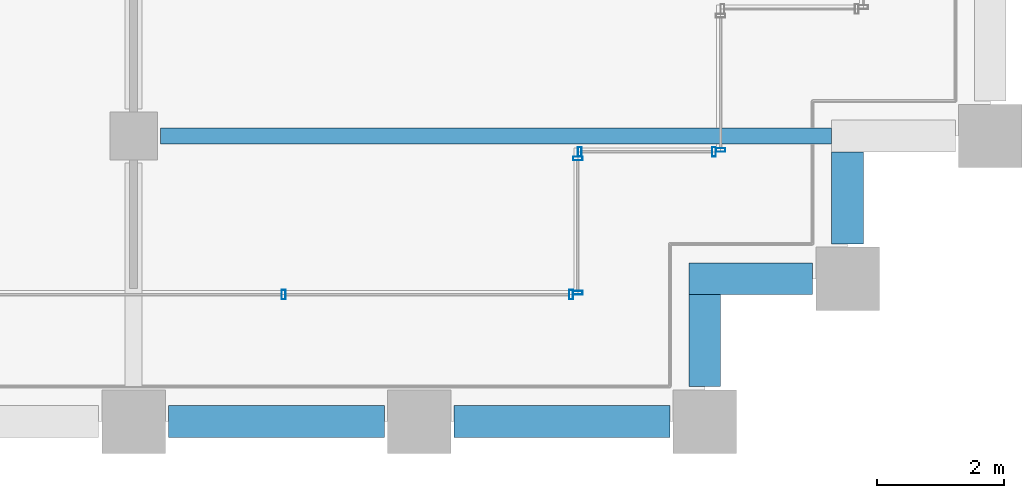
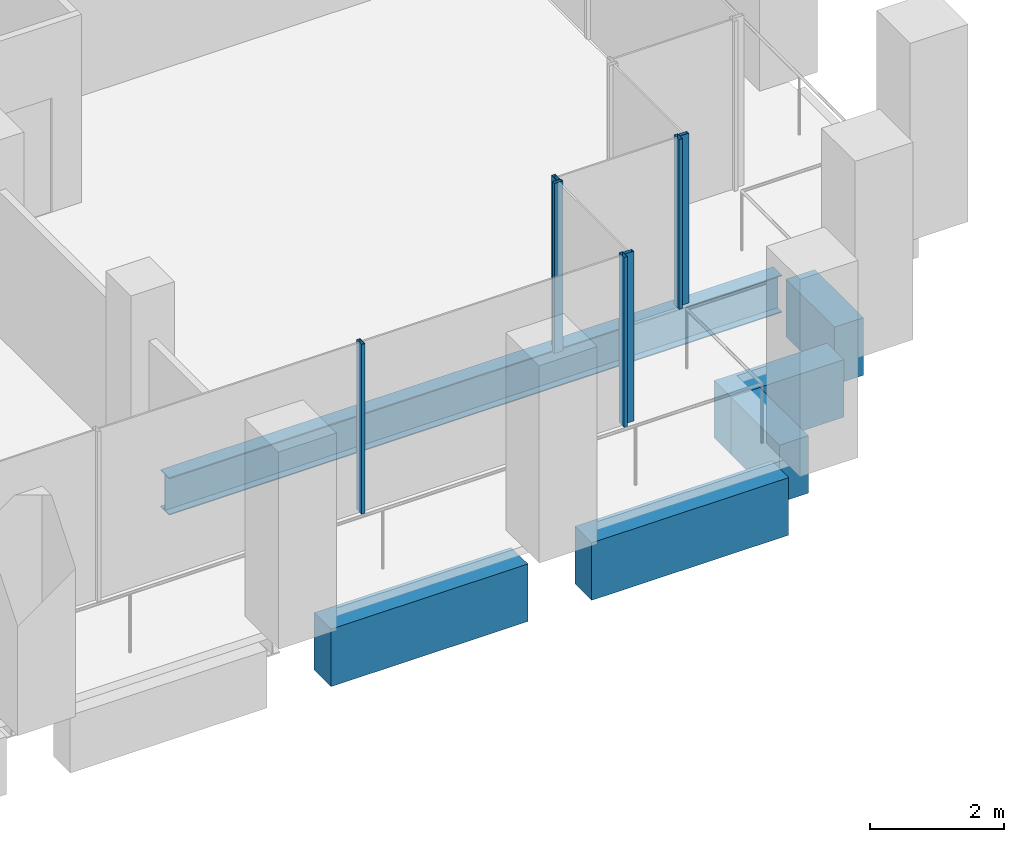
# One storey, part 12 of 52: 7 members, 6 beams, 4 elements without a shape of their own.
"""IFC4 building model written with IfcOpenShell, lengths in metres."""

from ifc_helpers import new_model, si_unit, direction, frame, origin, origin_2d, place, context, subcontext, project, spatial, rectangle, hollow_rectangle, i_section, extrude, material, material_profile, profile_set, type_object, element, aggregate, save


model = new_model("IFC4")

# Units and contexts
model_context = context("Model", 3, precision=1e-05, world=origin(), true_north=direction((0.0, 1.0)))
body_context = subcontext(model_context, "Body", "Model", "MODEL_VIEW")
ifc_project = project(units=[si_unit("LENGTHUNIT", "METRE"), si_unit("AREAUNIT", "SQUARE_METRE"), si_unit("VOLUMEUNIT", "CUBIC_METRE"), si_unit("PLANEANGLEUNIT", "RADIAN"), si_unit("MASSUNIT", "GRAM", prefix="KILO")], contexts=[model_context])

# Site, building, storey
site_placement = place(None, origin())
site = spatial("IfcSite", under=ifc_project, at=site_placement, CompositionType="ELEMENT")
building_placement = place(site_placement, origin())
building = spatial("IfcBuilding", under=site, at=building_placement, Name="Altepetl Exchange Towers", CompositionType="ELEMENT")
storey_placement = place(building_placement, frame((0.0, 0.0, 92.0)))
storey = spatial("IfcBuildingStorey", under=building, at=storey_placement, Name="L22", CompositionType="ELEMENT", Elevation=92.0)

# Beam
ifc_material_1 = material(Name="Steel S355", Category="steel")
ifc_material_profile_1 = material_profile(ifc_material_1, i_section(OverallWidth=0.25390625, OverallDepth=0.68408203125, WebThickness=0.012451171875, FlangeThickness=0.018798828125, at=origin_2d()), Name="W27X94")
ifc_profile_set_1 = profile_set([ifc_material_profile_1], Name="Steel S355")
beam_type_1 = type_object("IfcBeamType", Name="Floor beam W27X94", PredefinedType="BEAM", material=ifc_profile_set_1)
beam_1_placement = place(storey_placement, frame((58.925048828125, 31.5, -0.491943359375), z_axis=(1.0, 0.0, 0.0), x_axis=(0.0, 1.0, 0.0)))
element("IfcBeam", 1, at=beam_1_placement, inside=storey, type_object=beam_type_1, Name="bm:A:L22:006", PredefinedType="BEAM", context=body_context, shape_type="SweptSolid", body=[
    extrude(i_section(OverallWidth=0.25390625, OverallDepth=0.68408203125, WebThickness=0.012451171875, FlangeThickness=0.018798828125, at=origin_2d()), origin(), (0.0, 0.0, 1.0), 10.574951171875),
])

# Curtain wall, members
ifc_material_2 = material(Name="Aluminium 6063-T6 glazing", Category="aluminium")
curtain_wall_type = type_object("IfcCurtainWallType", Name="Loggia glazing system", PredefinedType="NOTDEFINED", material=ifc_material_2)
curtain_wall_1_placement = place(storey_placement, origin())
curtain_wall_1 = element("IfcCurtainWall", 2, at=curtain_wall_1_placement, inside=storey, type_object=curtain_wall_type, Name="CW1 run", PredefinedType="NOTDEFINED")
ifc_material_3 = material(Name="Aluminium 6063-T6", Category="aluminium")
ifc_material_profile_2 = material_profile(ifc_material_3, hollow_rectangle(XDim=0.06005859375, YDim=0.14990234375, WallThickness=0.0029296875, at=origin_2d()), Name="Mullion 60x150 aluminium")
ifc_profile_set_2 = profile_set([ifc_material_profile_2], Name="Aluminium 6063-T6")
member_type = type_object("IfcMemberType", Name="Mullion 60x150 aluminium", PredefinedType="MULLION", material=ifc_profile_set_2)
member_1_placement = place(storey_placement, frame((60.8642578125, 29.0, 0.0)))
member_1 = element("IfcMember", 3, at=member_1_placement, type_object=member_type, Name="MU1 mullion", PredefinedType="MULLION", context=body_context, shape_type="SweptSolid", body=[
    extrude(hollow_rectangle(XDim=0.06005859375, YDim=0.14990234375, WallThickness=0.0029296875, at=origin_2d()), origin(), (0.0, 0.0, 1.0), 3.10009765625),
])
member_2_placement = place(storey_placement, frame((65.39501953125, 29.0, 0.0)))
member_2 = element("IfcMember", 4, at=member_2_placement, type_object=member_type, Name="MU1 mullion", PredefinedType="MULLION", context=body_context, shape_type="SweptSolid", body=[
    extrude(hollow_rectangle(XDim=0.06005859375, YDim=0.14990234375, WallThickness=0.0029296875, at=origin_2d()), origin(), (0.0, 0.0, 1.0), 3.10009765625),
])
aggregate(curtain_wall_1, [member_1, member_2])

curtain_wall_2_placement = place(storey_placement, origin())
curtain_wall_2 = element("IfcCurtainWall", 5, at=curtain_wall_2_placement, inside=storey, type_object=curtain_wall_type, Name="CW1 run", PredefinedType="NOTDEFINED")
member_3_placement = place(storey_placement, frame((65.5, 29.030029296875, 0.0), z_axis=(0.0, 0.0, 1.0), x_axis=(0.0, 1.0, 0.0)))
member_3 = element("IfcMember", 6, at=member_3_placement, type_object=member_type, Name="MU1 mullion", PredefinedType="MULLION", context=body_context, shape_type="SweptSolid", body=[
    extrude(hollow_rectangle(XDim=0.06005859375, YDim=0.14990234375, WallThickness=0.0029296875, at=origin_2d()), origin(), (0.0, 0.0, 1.0), 3.10009765625),
])
member_4_placement = place(storey_placement, frame((65.5, 31.14501953125, 0.0), z_axis=(0.0, 0.0, 1.0), x_axis=(0.0, 1.0, 0.0)))
member_4 = element("IfcMember", 7, at=member_4_placement, type_object=member_type, Name="MU1 mullion", PredefinedType="MULLION", context=body_context, shape_type="SweptSolid", body=[
    extrude(hollow_rectangle(XDim=0.06005859375, YDim=0.14990234375, WallThickness=0.0029296875, at=origin_2d()), origin(), (0.0, 0.0, 1.0), 3.10009765625),
])
aggregate(curtain_wall_2, [member_3, member_4])

curtain_wall_3_placement = place(storey_placement, origin())
curtain_wall_3 = element("IfcCurtainWall", 8, at=curtain_wall_3_placement, inside=storey, type_object=curtain_wall_type, Name="CW1 run", PredefinedType="NOTDEFINED")
member_5_placement = place(storey_placement, frame((65.530029296875, 31.25, 0.0)))
member_5 = element("IfcMember", 9, at=member_5_placement, type_object=member_type, Name="MU1 mullion", PredefinedType="MULLION", context=body_context, shape_type="SweptSolid", body=[
    extrude(hollow_rectangle(XDim=0.06005859375, YDim=0.14990234375, WallThickness=0.0029296875, at=origin_2d()), origin(), (0.0, 0.0, 1.0), 3.10009765625),
])
member_6_placement = place(storey_placement, frame((67.64501953125, 31.25, 0.0)))
member_6 = element("IfcMember", 10, at=member_6_placement, type_object=member_type, Name="MU1 mullion", PredefinedType="MULLION", context=body_context, shape_type="SweptSolid", body=[
    extrude(hollow_rectangle(XDim=0.06005859375, YDim=0.14990234375, WallThickness=0.0029296875, at=origin_2d()), origin(), (0.0, 0.0, 1.0), 3.10009765625),
])
aggregate(curtain_wall_3, [member_5, member_6])

# Curtain wall, member
curtain_wall_4_placement = place(storey_placement, origin())
curtain_wall_4 = element("IfcCurtainWall", 11, at=curtain_wall_4_placement, inside=storey, type_object=curtain_wall_type, Name="CW1 run", PredefinedType="NOTDEFINED")
member_7_placement = place(storey_placement, frame((67.75, 31.280029296875, 0.0), z_axis=(0.0, 0.0, 1.0), x_axis=(0.0, 1.0, 0.0)))
member_7 = element("IfcMember", 12, at=member_7_placement, type_object=member_type, Name="MU1 mullion", PredefinedType="MULLION", context=body_context, shape_type="SweptSolid", body=[
    extrude(hollow_rectangle(XDim=0.06005859375, YDim=0.14990234375, WallThickness=0.0029296875, at=origin_2d()), origin(), (0.0, 0.0, 1.0), 3.10009765625),
])
aggregate(curtain_wall_4, [member_7])

# Beams
ifc_material_4 = material(Name="Concrete C50/60 precast with cantera amarilla facing", Category="concrete")
ifc_material_profile_3 = material_profile(ifc_material_4, rectangle(XDim=0.5, YDim=1.050048828125, at=origin_2d()), Name="500 x 1050")
ifc_profile_set_3 = profile_set([ifc_material_profile_3], Name="Concrete C50/60 precast with cantera amarilla facing")
beam_type_2 = type_object("IfcBeamType", Name="Spandrel beam 500x1050 cantera amarilla", PredefinedType="SPANDREL", material=ifc_profile_set_3)
for number, where, z_axis, x_axis, name in (
    (13, (59.050048828125, 27.0, -0.675048828125), (1.0, 0.0, 0.0), (0.0, 1.0, 0.0), "sp:A:L22:006"),
    (14, (63.550048828125, 27.0, -0.675048828125), (1.0, 0.0, 0.0), (0.0, 1.0, 0.0), "sp:A:L22:007"),
):
    element("IfcBeam", number, at=place(storey_placement, frame(where, z_axis=z_axis, x_axis=x_axis)), inside=storey, type_object=beam_type_2, Name=name, PredefinedType="SPANDREL", context=body_context, shape_type="SweptSolid", body=[
        extrude(rectangle(XDim=0.5, YDim=1.050048828125, at=origin_2d()), origin(), (0.0, 0.0, 1.0), 3.39990234375),
    ])
beam_2_placement = place(storey_placement, frame((67.5, 27.550048828125, -0.675048828125), z_axis=(0.0, 1.0, 0.0), x_axis=(-1.0, 0.0, 0.0)))
element("IfcBeam", 15, at=beam_2_placement, inside=storey, type_object=beam_type_2, Name="sp:A:L22:008", PredefinedType="SPANDREL", context=body_context, shape_type="SweptSolid", body=[
    extrude(rectangle(XDim=0.5, YDim=1.050048828125, at=origin_2d()), origin(), (0.0, 0.0, 1.0), 1.449951171875),
])
beam_3_placement = place(storey_placement, frame((67.25, 29.25, -0.675048828125), z_axis=(1.0, 0.0, 0.0), x_axis=(0.0, 1.0, 0.0)))
element("IfcBeam", 16, at=beam_3_placement, inside=storey, type_object=beam_type_2, Name="sp:A:L22:009", PredefinedType="SPANDREL", context=body_context, shape_type="SweptSolid", body=[
    extrude(rectangle(XDim=0.5, YDim=1.050048828125, at=origin_2d()), origin(), (0.0, 0.0, 1.0), 1.949951171875),
])
beam_4_placement = place(storey_placement, frame((69.75, 29.800048828125, -0.675048828125), z_axis=(0.0, 1.0, 0.0), x_axis=(-1.0, 0.0, 0.0)))
element("IfcBeam", 17, at=beam_4_placement, inside=storey, type_object=beam_type_2, Name="sp:A:L22:010", PredefinedType="SPANDREL", context=body_context, shape_type="SweptSolid", body=[
    extrude(rectangle(XDim=0.5, YDim=1.050048828125, at=origin_2d()), origin(), (0.0, 0.0, 1.0), 1.449951171875),
])

save(model, "model.ifc")
